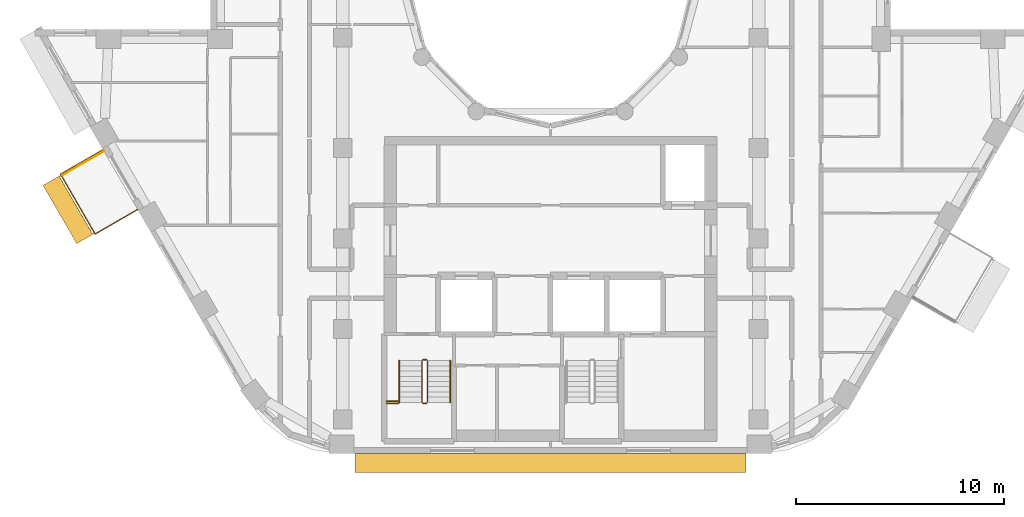
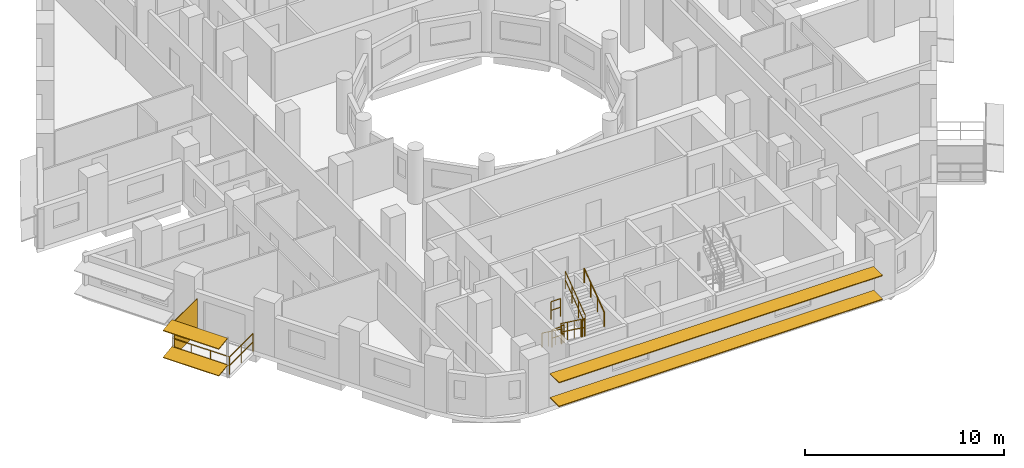
# One storey, part 12 of 15: 9 railings, 5 shading devices.
"""IFC4 building model written with IfcOpenShell, lengths in metres."""

from ifc_helpers import new_model, si_unit, direction, frame, origin, origin_2d, place, context, subcontext, project, spatial, rectangle, circle, extrude, material, layer, layer_set, material_profile, profile_set, type_object, element, save


model = new_model("IFC4")

# Units and contexts
model_context = context("Model", 3, precision=1e-05, world=origin(), true_north=direction((0.0, 1.0)))
body_context = subcontext(model_context, "Body", "Model", "MODEL_VIEW")
ifc_project = project(units=[si_unit("LENGTHUNIT", "METRE"), si_unit("AREAUNIT", "SQUARE_METRE"), si_unit("VOLUMEUNIT", "CUBIC_METRE"), si_unit("PLANEANGLEUNIT", "RADIAN"), si_unit("MASSUNIT", "GRAM", prefix="KILO")], contexts=[model_context])

# Site, building, storey
site_placement = place(None, origin())
site = spatial("IfcSite", under=ifc_project, at=site_placement, CompositionType="ELEMENT")
building_placement = place(site_placement, origin())
building = spatial("IfcBuilding", under=site, at=building_placement, Name="Nakaniwa Court", CompositionType="ELEMENT")
storey_placement = place(building_placement, frame((0.0, 0.0, 213.0)))
storey = spatial("IfcBuildingStorey", under=building, at=storey_placement, Name="L56", CompositionType="ELEMENT", Elevation=213.0)

# Railing
ifc_material_1 = material(Name="Black powder-coated steel flat bar balustrade S275", Category="steel")
railing_type_1 = type_object("IfcRailingType", Name="Black metal balcony guard 1100", PredefinedType="GUARDRAIL", material=ifc_material_1)
railing_1_placement = place(storey_placement, frame((58.4814453125, 71.97119140625, -0.050048828125)))
element("IfcRailing", 1, at=railing_1_placement, inside=storey, type_object=railing_type_1, Name="L56 balcony guard 01", PredefinedType="GUARDRAIL", context=body_context, shape_type="SweptSolid", body=[
    extrude(circle(Radius=0.02392578125, at=origin_2d()), frame((0.0, 0.0, 1.076171875), z_axis=(-0.866051224006, -0.499955275397, 0.0), x_axis=(0.499955275397, -0.866051224006, 0.0)), (0.0, 0.0, 1.0), 2.360107421875),
    extrude(circle(Radius=0.02392578125, at=origin_2d()), frame((0.0, 0.0, 0.550048828125), z_axis=(-0.866051224006, -0.499955275397, 0.0), x_axis=(0.499955275397, -0.866051224006, 0.0)), (0.0, 0.0, 1.0), 2.360107421875),
    extrude(circle(Radius=0.02392578125, at=origin_2d()), frame((-2.0439453125, -1.179931640625, 1.076171875), z_axis=(0.500015331954, -0.866016551696, 0.0), x_axis=(0.866016551696, 0.500015331954, 0.0)), (0.0, 0.0, 1.0), 3.3193359375),
    extrude(circle(Radius=0.02392578125, at=origin_2d()), frame((-2.0439453125, -1.179931640625, 0.550048828125), z_axis=(0.500015331954, -0.866016551696, 0.0), x_axis=(0.866016551696, 0.500015331954, 0.0)), (0.0, 0.0, 1.0), 3.3193359375),
    extrude(circle(Radius=0.02392578125, at=origin_2d()), frame((-0.38427734375, -4.054443359375, 1.076171875), z_axis=(0.866025363618, 0.50000006957, 0.0), x_axis=(-0.50000006957, 0.866025363618, 0.0)), (0.0, 0.0, 1.0), 2.35986328125),
    extrude(circle(Radius=0.02392578125, at=origin_2d()), frame((-0.38427734375, -4.054443359375, 0.550048828125), z_axis=(0.866025363618, 0.50000006957, 0.0), x_axis=(-0.50000006957, 0.866025363618, 0.0)), (0.0, 0.0, 1.0), 2.35986328125),
    extrude(circle(Radius=0.02099609375, at=origin_2d()), origin(), (0.0, 0.0, 1.0), 1.052001953125),
    extrude(circle(Radius=0.02099609375, at=origin_2d()), frame((-1.02197265625, -0.58984375, 0.0)), (0.0, 0.0, 1.0), 1.052001953125),
    extrude(circle(Radius=0.02099609375, at=origin_2d()), frame((-2.0439453125, -1.179931640625, 0.0)), (0.0, 0.0, 1.0), 1.052001953125),
    extrude(circle(Radius=0.02099609375, at=origin_2d()), frame((-1.49072265625, -2.13818359375, 0.0)), (0.0, 0.0, 1.0), 1.052001953125),
    extrude(circle(Radius=0.02099609375, at=origin_2d()), frame((-0.9375, -3.09619140625, 0.0)), (0.0, 0.0, 1.0), 1.052001953125),
    extrude(circle(Radius=0.02099609375, at=origin_2d()), frame((-0.38427734375, -4.054443359375, 0.0)), (0.0, 0.0, 1.0), 1.052001953125),
    extrude(circle(Radius=0.02099609375, at=origin_2d()), frame((0.6376953125, -3.46435546875, 0.0)), (0.0, 0.0, 1.0), 1.052001953125),
    extrude(circle(Radius=0.02099609375, at=origin_2d()), frame((1.659423828125, -2.87451171875, 0.0)), (0.0, 0.0, 1.0), 1.052001953125),
])

# Shading devices
ifc_material_2 = material(Name="Black powder-coated aluminium slat screen", Category="aluminium")
ifc_layer = layer(ifc_material_2, 0.0400390625)
ifc_layer_set = layer_set([ifc_layer], Name="Black powder-coated aluminium slat screen")
shading_device_type_1 = type_object("IfcShadingDeviceType", Name="Koshi screen black metal", PredefinedType="USERDEFINED", material=ifc_layer_set)
shading_device_placement = place(storey_placement, frame((57.521240234375, 71.324462890625, -0.050048828125), z_axis=(0.0, 0.0, 1.0), x_axis=(0.499986396443, -0.866033257659, 0.0)))
element("IfcShadingDevice", 2, at=shading_device_placement, inside=storey, type_object=shading_device_type_1, Name="L56 balcony SCREEN 01 W", ObjectType="KOSHI SCREEN", PredefinedType="USERDEFINED", context=body_context, shape_type="SweptSolid", body=[
    extrude(rectangle(XDim=0.0400390625, YDim=2.31005859375, at=origin_2d()), origin(), (0.0, 0.0, 1.0), 2.10009765625),
])
ifc_material_3 = material(Name="Perforated charcoal ceramic louvre blade")
ifc_material_profile = material_profile(ifc_material_3, rectangle(XDim=0.89990234375, YDim=0.050048828125, at=origin_2d()), Name="Perforated ceramic louvre blade")
ifc_profile_set = profile_set([ifc_material_profile], Name="Perforated charcoal ceramic louvre blade")
shading_device_type_2 = type_object("IfcShadingDeviceType", Name="Perforated ceramic louvre blade", PredefinedType="JALOUSIE", material=ifc_profile_set)
for number, where, z_axis, x_axis, name in (
    (3, (55.981689453125, 70.48193359375, 0.5), (0.500013872438, -0.86601739438, 0.0), (0.858608495519, 0.495736184445, 0.13052619222), "L56 perforated ceramic louvre blade 01 1"),
    (4, (55.981689453125, 70.48193359375, 2.14990234375), (0.500013872438, -0.86601739438, 0.0), (0.858608495519, 0.495736184445, 0.13052619222), "L56 perforated ceramic louvre blade 01 2"),
):
    element("IfcShadingDevice", number, at=place(storey_placement, frame(where, z_axis=z_axis, x_axis=x_axis)), inside=storey, type_object=shading_device_type_2, Name=name, PredefinedType="JALOUSIE", context=body_context, shape_type="SweptSolid", body=[
        extrude(rectangle(XDim=0.89990234375, YDim=0.050048828125, at=origin_2d()), origin(), (0.0, 0.0, 1.0), 3.2392578125),
    ])
for number, where, z_axis, x_axis, name in (
    (5, (70.6005859375, 56.89990234375, 0.550048828125), (1.0, 0.0, 0.0), (0.0, 1.0, 0.0), "L56 perforated ceramic louvre blade w26 1"),
    (6, (70.6005859375, 56.89990234375, 2.014892578125), (1.0, 0.0, 0.0), (0.0, 1.0, 0.0), "L56 perforated ceramic louvre blade w26 2"),
):
    element("IfcShadingDevice", number, at=place(storey_placement, frame(where, z_axis=z_axis, x_axis=x_axis)), inside=storey, type_object=shading_device_type_2, Name=name, PredefinedType="JALOUSIE", context=body_context, shape_type="SweptSolid", body=[
        extrude(rectangle(XDim=0.89990234375, YDim=0.050048828125, at=origin_2d()), origin(), (0.0, 0.0, 1.0), 18.79296875),
    ])

# Railings
ifc_material_4 = material(Name="Black powder coated steel guard", Category="steel")
railing_type_2 = type_object("IfcRailingType", Name="Stair guard 1100", PredefinedType="GUARDRAIL", material=ifc_material_4)
railing_2_placement = place(storey_placement, frame((73.824951171875, 61.824951171875, 0.183349609375)))
element("IfcRailing", 7, at=railing_2_placement, inside=storey, type_object=railing_type_2, Name="L56 ST3 stair guard 1", PredefinedType="GUARDRAIL", context=body_context, shape_type="SweptSolid", body=[
    extrude(circle(Radius=0.02392578125, at=origin_2d()), frame((0.0, 0.0, 1.076171875), z_axis=(0.0, -0.806426902644, 0.591333789573), x_axis=(1.0, 0.0, 0.0)), (0.0, 0.0, 1.0), 2.47998046875),
    extrude(circle(Radius=0.02392578125, at=origin_2d()), frame((0.0, 0.0, 0.550048828125), z_axis=(0.0, -0.806426902644, 0.591333789573), x_axis=(1.0, 0.0, 0.0)), (0.0, 0.0, 1.0), 2.47998046875),
    extrude(circle(Radius=0.02099609375, at=origin_2d()), origin(), (0.0, 0.0, 1.0), 1.052001953125),
    extrude(circle(Radius=0.02099609375, at=origin_2d()), frame((0.0, -0.666748046875, 0.48876953125)), (0.0, 0.0, 1.0), 1.052001953125),
    extrude(circle(Radius=0.02099609375, at=origin_2d()), frame((0.0, -1.333251953125, 0.977783203125)), (0.0, 0.0, 1.0), 1.052001953125),
    extrude(circle(Radius=0.02099609375, at=origin_2d()), frame((0.0, -2.0, 1.466552734375)), (0.0, 0.0, 1.0), 1.052001953125),
])
railing_3_placement = place(storey_placement, frame((73.875, 59.77490234375, 1.64990234375)))
element("IfcRailing", 8, at=railing_3_placement, inside=storey, type_object=railing_type_2, Name="L56 ST3 stair guard 2", PredefinedType="GUARDRAIL", context=body_context, shape_type="SweptSolid", body=[
    extrude(circle(Radius=0.02392578125, at=origin_2d()), frame((0.0, 0.0, 1.076171875), z_axis=(1.0, 0.0, 0.0), x_axis=(0.0, 1.0, 0.0)), (0.0, 0.0, 1.0), 0.14990234375),
    extrude(circle(Radius=0.02392578125, at=origin_2d()), frame((0.0, 0.0, 0.550048828125), z_axis=(1.0, 0.0, 0.0), x_axis=(0.0, 1.0, 0.0)), (0.0, 0.0, 1.0), 0.14990234375),
    extrude(circle(Radius=0.02099609375, at=origin_2d()), origin(), (0.0, 0.0, 1.0), 1.052001953125),
    extrude(circle(Radius=0.02099609375, at=origin_2d()), frame((0.14990234375, 0.0, 0.0)), (0.0, 0.0, 1.0), 1.052001953125),
])
railing_4_placement = place(storey_placement, frame((74.074951171875, 59.824951171875, 1.833251953125)))
element("IfcRailing", 9, at=railing_4_placement, inside=storey, type_object=railing_type_2, Name="L56 ST3 stair guard 3", PredefinedType="GUARDRAIL", context=body_context, shape_type="SweptSolid", body=[
    extrude(circle(Radius=0.02392578125, at=origin_2d()), frame((0.0, 0.0, 1.076171875), z_axis=(0.0, 0.806379959628, 0.591397802423), x_axis=(-1.0, 0.0, 0.0)), (0.0, 0.0, 1.0), 2.480224609375),
    extrude(circle(Radius=0.02392578125, at=origin_2d()), frame((0.0, 0.0, 0.550048828125), z_axis=(0.0, 0.806379959628, 0.591397802423), x_axis=(-1.0, 0.0, 0.0)), (0.0, 0.0, 1.0), 2.480224609375),
    extrude(circle(Radius=0.02099609375, at=origin_2d()), origin(), (0.0, 0.0, 1.0), 1.052001953125),
    extrude(circle(Radius=0.02099609375, at=origin_2d()), frame((0.0, 0.666748046875, 0.489013671875)), (0.0, 0.0, 1.0), 1.052001953125),
    extrude(circle(Radius=0.02099609375, at=origin_2d()), frame((0.0, 1.333251953125, 0.977783203125)), (0.0, 0.0, 1.0), 1.052001953125),
    extrude(circle(Radius=0.02099609375, at=origin_2d()), frame((0.0, 2.0, 1.466796875)), (0.0, 0.0, 1.0), 1.052001953125),
])
railing_5_placement = place(storey_placement, frame((73.875, 61.875, 0.0)))
element("IfcRailing", 10, at=railing_5_placement, inside=storey, type_object=railing_type_2, Name="L56 ST3 stair guard 4", PredefinedType="GUARDRAIL", context=body_context, shape_type="SweptSolid", body=[
    extrude(circle(Radius=0.02392578125, at=origin_2d()), frame((0.0, 0.0, 1.076171875), z_axis=(1.0, 0.0, 0.0), x_axis=(0.0, 1.0, 0.0)), (0.0, 0.0, 1.0), 0.14990234375),
    extrude(circle(Radius=0.02392578125, at=origin_2d()), frame((0.0, 0.0, 0.550048828125), z_axis=(1.0, 0.0, 0.0), x_axis=(0.0, 1.0, 0.0)), (0.0, 0.0, 1.0), 0.14990234375),
    extrude(circle(Radius=0.02099609375, at=origin_2d()), origin(), (0.0, 0.0, 1.0), 1.052001953125),
    extrude(circle(Radius=0.02099609375, at=origin_2d()), frame((0.14990234375, 0.0, 0.0)), (0.0, 0.0, 1.0), 1.052001953125),
])
for number, where, name in (
    (11, (72.125, 59.77490234375, 1.64990234375), "L56 ST3 landing side guard 1W"),
    (12, (72.125, 59.875, 3.300048828125), "L56 ST3 floor edge guard 1W"),
):
    element("IfcRailing", number, at=place(storey_placement, frame(where)), inside=storey, type_object=railing_type_2, Name=name, PredefinedType="GUARDRAIL", context=body_context, shape_type="SweptSolid", body=[
        extrude(circle(Radius=0.02392578125, at=origin_2d()), frame((0.0, 0.0, 1.076171875), z_axis=(1.0, 0.0, 0.0), x_axis=(0.0, 1.0, 0.0)), (0.0, 0.0, 1.0), 0.550048828125),
        extrude(circle(Radius=0.02392578125, at=origin_2d()), frame((0.0, 0.0, 0.550048828125), z_axis=(1.0, 0.0, 0.0), x_axis=(0.0, 1.0, 0.0)), (0.0, 0.0, 1.0), 0.550048828125),
        extrude(circle(Radius=0.02099609375, at=origin_2d()), origin(), (0.0, 0.0, 1.0), 1.052001953125),
        extrude(circle(Radius=0.02099609375, at=origin_2d()), frame((0.550048828125, 0.0, 0.0)), (0.0, 0.0, 1.0), 1.052001953125),
    ])
ifc_material_5 = material(Name="Black powder coated steel handrail", Category="steel")
railing_type_3 = type_object("IfcRailingType", Name="Stair handrail 900", PredefinedType="HANDRAIL", material=ifc_material_5)
railing_6_placement = place(storey_placement, frame((72.72509765625, 61.824951171875, 0.183349609375)))
element("IfcRailing", 13, at=railing_6_placement, inside=storey, type_object=railing_type_3, Name="L56 ST3 stair handrail 1", PredefinedType="HANDRAIL", context=body_context, shape_type="SweptSolid", body=[
    extrude(circle(Radius=0.02392578125, at=origin_2d()), frame((0.0, 0.0, 0.8759765625), z_axis=(0.0, -0.806426902644, 0.591333789573), x_axis=(1.0, 0.0, 0.0)), (0.0, 0.0, 1.0), 2.47998046875),
    extrude(circle(Radius=0.02099609375, at=origin_2d()), origin(), (0.0, 0.0, 1.0), 0.851806640625),
    extrude(circle(Radius=0.02099609375, at=origin_2d()), frame((0.0, -0.666748046875, 0.48876953125)), (0.0, 0.0, 1.0), 0.851806640625),
    extrude(circle(Radius=0.02099609375, at=origin_2d()), frame((0.0, -1.333251953125, 0.977783203125)), (0.0, 0.0, 1.0), 0.851806640625),
    extrude(circle(Radius=0.02099609375, at=origin_2d()), frame((0.0, -2.0, 1.466552734375)), (0.0, 0.0, 1.0), 0.851806640625),
])
railing_7_placement = place(storey_placement, frame((75.175048828125, 59.824951171875, 1.833251953125)))
element("IfcRailing", 14, at=railing_7_placement, inside=storey, type_object=railing_type_3, Name="L56 ST3 stair handrail 2", PredefinedType="HANDRAIL", context=body_context, shape_type="SweptSolid", body=[
    extrude(circle(Radius=0.02392578125, at=origin_2d()), frame((0.0, 0.0, 0.8759765625), z_axis=(0.0, 0.806379959628, 0.591397802423), x_axis=(-1.0, 0.0, 0.0)), (0.0, 0.0, 1.0), 2.480224609375),
    extrude(circle(Radius=0.02099609375, at=origin_2d()), origin(), (0.0, 0.0, 1.0), 0.851806640625),
    extrude(circle(Radius=0.02099609375, at=origin_2d()), frame((0.0, 0.666748046875, 0.489013671875)), (0.0, 0.0, 1.0), 0.851806640625),
    extrude(circle(Radius=0.02099609375, at=origin_2d()), frame((0.0, 1.333251953125, 0.977783203125)), (0.0, 0.0, 1.0), 0.851806640625),
    extrude(circle(Radius=0.02099609375, at=origin_2d()), frame((0.0, 2.0, 1.466796875)), (0.0, 0.0, 1.0), 0.851806640625),
])

save(model, "model.ifc")
